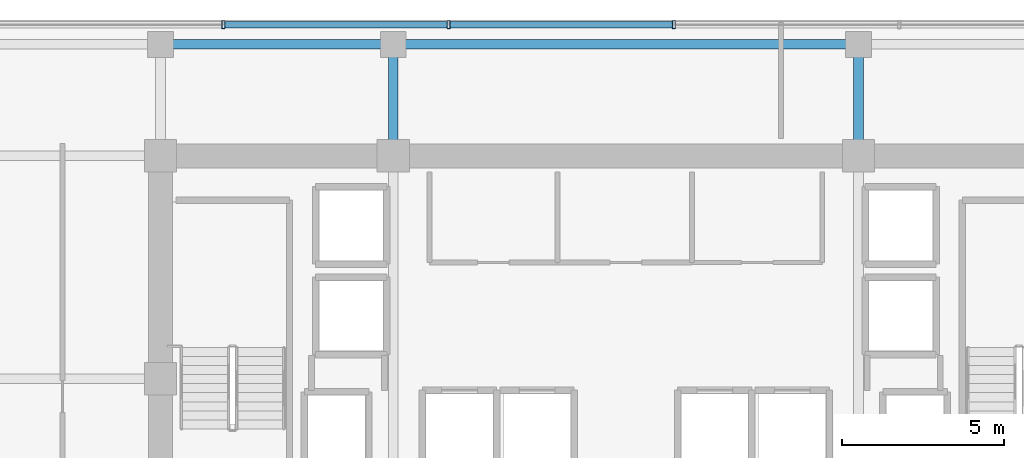
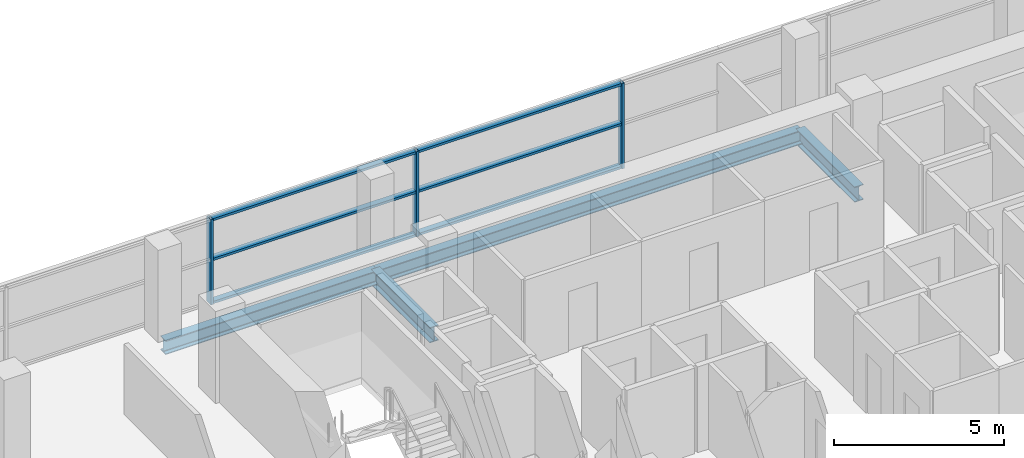
# One storey, part 15 of 25: 9 members, 4 beams, 1 element without a shape of its own.
"""IFC4 building model written with IfcOpenShell, lengths in metres."""

from ifc_helpers import new_model, si_unit, direction, frame, origin, origin_2d, place, context, subcontext, project, spatial, hollow_rectangle, i_section, extrude, source, transform, mapped, material, layer, layer_set, material_profile, profile_set, type_object, element, aggregate, save


model = new_model("IFC4")

# Units and contexts
model_context = context("Model", 3, precision=1e-05, world=origin(), true_north=direction((0.0, 1.0)))
body_context = subcontext(model_context, "Body", "Model", "MODEL_VIEW")
ifc_project = project(units=[si_unit("LENGTHUNIT", "METRE"), si_unit("AREAUNIT", "SQUARE_METRE"), si_unit("VOLUMEUNIT", "CUBIC_METRE"), si_unit("PLANEANGLEUNIT", "RADIAN"), si_unit("MASSUNIT", "GRAM", prefix="KILO")], contexts=[model_context])

# Site, building, storey
site_placement = place(None, origin())
site = spatial("IfcSite", under=ifc_project, at=site_placement, CompositionType="ELEMENT")
building_placement = place(site_placement, origin())
building = spatial("IfcBuilding", under=site, at=building_placement, Name="Zarnakvel Exchange Tower", CompositionType="ELEMENT")
storey_placement = place(building_placement, frame((0.0, 0.0, 100.0)))
storey = spatial("IfcBuildingStorey", under=building, at=storey_placement, Name="L27", CompositionType="ELEMENT", Elevation=100.0)

# Beams
ifc_material_1 = material(Name="Steel S355", Category="steel")
ifc_material_profile_1 = material_profile(ifc_material_1, i_section(OverallWidth=0.300048828125, OverallDepth=0.550048828125, WebThickness=0.014892578125, FlangeThickness=0.029052734375, FilletRadius=0.027099609375, at=origin_2d()))
ifc_profile_set_1 = profile_set([ifc_material_profile_1], Name="Steel S355")
beam_type_1 = type_object("IfcBeamType", Name="G-05", PredefinedType="BEAM", material=ifc_profile_set_1)
for number, where, z_axis, x_axis, name in (
    (1, (-7.199951171875, 13.5, -0.5), (0.0, 1.0, 0.0), (-1.0, 0.0, 0.0), "L27 Tower N-S Frame Beam"),
    (2, (7.199951171875, 13.5, -0.5), (0.0, 1.0, 0.0), (-1.0, 0.0, 0.0), "L27 Tower N-S Frame Beam"),
):
    element("IfcBeam", number, at=place(storey_placement, frame(where, z_axis=z_axis, x_axis=x_axis)), inside=storey, type_object=beam_type_1, Name=name, PredefinedType="BEAM", context=body_context, shape_type="SweptSolid", body=[
        extrude(i_section(OverallWidth=0.300048828125, OverallDepth=0.550048828125, WebThickness=0.014892578125, FlangeThickness=0.029052734375, FilletRadius=0.027099609375, at=origin_2d()), origin(), (0.0, 0.0, 1.0), 3.449951171875),
    ])
ifc_material_profile_2 = material_profile(ifc_material_1, i_section(OverallWidth=0.300048828125, OverallDepth=0.5, WebThickness=0.014404296875, FlangeThickness=0.028076171875, FilletRadius=0.027099609375, at=origin_2d()))
ifc_profile_set_2 = profile_set([ifc_material_profile_2], Name="Steel S355")
beam_type_2 = type_object("IfcBeamType", Name="SP-02", PredefinedType="SPANDREL", material=ifc_profile_set_2)
beam_1_placement = place(storey_placement, frame((-14.39990234375, 16.949951171875, -0.47509765625), z_axis=(1.0, 0.0, 0.0), x_axis=(0.0, 1.0, 0.0)))
element("IfcBeam", 3, at=beam_1_placement, inside=storey, type_object=beam_type_2, Name="L27 Tower E-W Frame Beam", PredefinedType="SPANDREL", context=body_context, shape_type="SweptSolid", body=[
    extrude(i_section(OverallWidth=0.300048828125, OverallDepth=0.5, WebThickness=0.014404296875, FlangeThickness=0.028076171875, FilletRadius=0.027099609375, at=origin_2d()), origin(), (0.0, 0.0, 1.0), 7.199951171875),
])
beam_2_placement = place(storey_placement, frame((-7.199951171875, 16.949951171875, -0.47509765625), z_axis=(1.0, 0.0, 0.0), x_axis=(0.0, 1.0, 0.0)))
element("IfcBeam", 4, at=beam_2_placement, inside=storey, type_object=beam_type_2, Name="L27 Tower E-W Frame Beam", PredefinedType="SPANDREL", context=body_context, shape_type="SweptSolid", body=[
    extrude(i_section(OverallWidth=0.300048828125, OverallDepth=0.5, WebThickness=0.014404296875, FlangeThickness=0.028076171875, FilletRadius=0.027099609375, at=origin_2d()), origin(), (0.0, 0.0, 1.0), 14.39990234375),
])

# Curtain wall, members
ifc_material_2 = material(Name="Architectural Bronze Anodised Aluminium", Category="aluminium")
ifc_layer = layer(ifc_material_2, 0.239990234375)
ifc_layer_set = layer_set([ifc_layer], Name="Architectural Bronze Anodised Aluminium")
curtain_wall_type = type_object("IfcCurtainWallType", Name="CW-02", PredefinedType="NOTDEFINED", material=ifc_layer_set)
curtain_wall_placement = place(storey_placement, origin())
curtain_wall = element("IfcCurtainWall", 5, at=curtain_wall_placement, inside=storey, type_object=curtain_wall_type, Name="L27 Curtain Wall CW-L27-N1 (CW-02)", PredefinedType="NOTDEFINED")
ifc_material_profile_3 = material_profile(ifc_material_2, hollow_rectangle(XDim=0.239990234375, YDim=0.090087890625, WallThickness=0.006103515625, at=origin_2d()))
ifc_profile_set_3 = profile_set([ifc_material_profile_3], Name="Architectural Bronze Anodised Aluminium")
member_type_1 = type_object("IfcMemberType", Name="CWM-02", PredefinedType="MULLION", material=ifc_profile_set_3)
shared_shape_1 = source(origin(), body_context, "Body", "SweptSolid", [
    extrude(hollow_rectangle(XDim=0.239990234375, YDim=0.090087890625, WallThickness=0.006103515625, at=origin_2d()), origin(), (0.0, 0.0, 1.0), 3.054931640625),
])
member_1_placement = place(storey_placement, frame((-12.45703125, 17.56005859375, 0.0), z_axis=(0.0, 0.0, 1.0), x_axis=(0.0, 1.0, 0.0)))
member_1 = element("IfcMember", 6, at=member_1_placement, type_object=member_type_1, Name="CW-02 mullion 3", PredefinedType="MULLION", context=body_context, shape_type="MappedRepresentation", body=[
    mapped(shared_shape_1, transform((0.0, 0.0, 0.0), x_axis=(1.0, 0.0, 0.0), y_axis=(0.0, 1.0, 0.0), z_axis=(0.0, 0.0, 1.0), scale=1.0)),
])
member_2_placement = place(storey_placement, frame((-5.485595703125, 17.56005859375, 0.0), z_axis=(0.0, 0.0, 1.0), x_axis=(0.0, 1.0, 0.0)))
member_2 = element("IfcMember", 7, at=member_2_placement, type_object=member_type_1, Name="CW-02 mullion 4", PredefinedType="MULLION", context=body_context, shape_type="MappedRepresentation", body=[
    mapped(shared_shape_1, transform((0.0, 0.0, 0.0), x_axis=(1.0, 0.0, 0.0), y_axis=(0.0, 1.0, 0.0), z_axis=(0.0, 0.0, 1.0), scale=1.0)),
])
member_3_placement = place(storey_placement, frame((1.485595703125, 17.56005859375, 0.0), z_axis=(0.0, 0.0, 1.0), x_axis=(0.0, 1.0, 0.0)))
member_3 = element("IfcMember", 8, at=member_3_placement, type_object=member_type_1, Name="CW-02 mullion 5", PredefinedType="MULLION", context=body_context, shape_type="MappedRepresentation", body=[
    mapped(shared_shape_1, transform((0.0, 0.0, 0.0), x_axis=(1.0, 0.0, 0.0), y_axis=(0.0, 1.0, 0.0), z_axis=(0.0, 0.0, 1.0), scale=1.0)),
])
ifc_material_profile_4 = material_profile(ifc_material_2, hollow_rectangle(XDim=0.199951171875, YDim=0.0849609375, WallThickness=0.0048828125, at=origin_2d()))
ifc_profile_set_4 = profile_set([ifc_material_profile_4], Name="Architectural Bronze Anodised Aluminium")
member_type_2 = type_object("IfcMemberType", Name="CWT-02", PredefinedType="USERDEFINED", material=ifc_profile_set_4)
shared_shape_2 = source(origin(), body_context, "Body", "SweptSolid", [
    extrude(hollow_rectangle(XDim=0.199951171875, YDim=0.0849609375, WallThickness=0.0048828125, at=origin_2d()), origin(), (0.0, 0.0, 1.0), 6.88134765625),
])
member_4_placement = place(storey_placement, frame((-12.412109375, 17.56005859375, 0.04248046875), z_axis=(1.0, 0.0, 0.0), x_axis=(0.0, 1.0, 0.0)))
member_4 = element("IfcMember", 9, at=member_4_placement, type_object=member_type_2, Name="CW-02 transom 3.1", ObjectType="TRANSOM", PredefinedType="USERDEFINED", context=body_context, shape_type="MappedRepresentation", body=[
    mapped(shared_shape_2, transform((0.0, 0.0, 0.0), x_axis=(1.0, 0.0, 0.0), y_axis=(0.0, 1.0, 0.0), z_axis=(0.0, 0.0, 1.0), scale=1.0)),
])
member_5_placement = place(storey_placement, frame((-12.412109375, 17.56005859375, 1.588623046875), z_axis=(1.0, 0.0, 0.0), x_axis=(0.0, 1.0, 0.0)))
member_5 = element("IfcMember", 10, at=member_5_placement, type_object=member_type_2, Name="CW-02 transom 3.2", ObjectType="TRANSOM", PredefinedType="USERDEFINED", context=body_context, shape_type="MappedRepresentation", body=[
    mapped(shared_shape_2, transform((0.0, 0.0, 0.0), x_axis=(1.0, 0.0, 0.0), y_axis=(0.0, 1.0, 0.0), z_axis=(0.0, 0.0, 1.0), scale=1.0)),
])
member_6_placement = place(storey_placement, frame((-12.412109375, 17.56005859375, 3.012451171875), z_axis=(1.0, 0.0, 0.0), x_axis=(0.0, 1.0, 0.0)))
member_6 = element("IfcMember", 11, at=member_6_placement, type_object=member_type_2, Name="CW-02 transom 3.3", ObjectType="TRANSOM", PredefinedType="USERDEFINED", context=body_context, shape_type="MappedRepresentation", body=[
    mapped(shared_shape_2, transform((0.0, 0.0, 0.0), x_axis=(1.0, 0.0, 0.0), y_axis=(0.0, 1.0, 0.0), z_axis=(0.0, 0.0, 1.0), scale=1.0)),
])
member_7_placement = place(storey_placement, frame((-5.440673828125, 17.56005859375, 0.04248046875), z_axis=(1.0, 0.0, 0.0), x_axis=(0.0, 1.0, 0.0)))
member_7 = element("IfcMember", 12, at=member_7_placement, type_object=member_type_2, Name="CW-02 transom 4.1", ObjectType="TRANSOM", PredefinedType="USERDEFINED", context=body_context, shape_type="MappedRepresentation", body=[
    mapped(shared_shape_2, transform((0.0, 0.0, 0.0), x_axis=(1.0, 0.0, 0.0), y_axis=(0.0, 1.0, 0.0), z_axis=(0.0, 0.0, 1.0), scale=1.0)),
])
member_8_placement = place(storey_placement, frame((-5.440673828125, 17.56005859375, 1.588623046875), z_axis=(1.0, 0.0, 0.0), x_axis=(0.0, 1.0, 0.0)))
member_8 = element("IfcMember", 13, at=member_8_placement, type_object=member_type_2, Name="CW-02 transom 4.2", ObjectType="TRANSOM", PredefinedType="USERDEFINED", context=body_context, shape_type="MappedRepresentation", body=[
    mapped(shared_shape_2, transform((0.0, 0.0, 0.0), x_axis=(1.0, 0.0, 0.0), y_axis=(0.0, 1.0, 0.0), z_axis=(0.0, 0.0, 1.0), scale=1.0)),
])
member_9_placement = place(storey_placement, frame((-5.440673828125, 17.56005859375, 3.012451171875), z_axis=(1.0, 0.0, 0.0), x_axis=(0.0, 1.0, 0.0)))
member_9 = element("IfcMember", 14, at=member_9_placement, type_object=member_type_2, Name="CW-02 transom 4.3", ObjectType="TRANSOM", PredefinedType="USERDEFINED", context=body_context, shape_type="MappedRepresentation", body=[
    mapped(shared_shape_2, transform((0.0, 0.0, 0.0), x_axis=(1.0, 0.0, 0.0), y_axis=(0.0, 1.0, 0.0), z_axis=(0.0, 0.0, 1.0), scale=1.0)),
])
aggregate(curtain_wall, [member_1, member_2, member_3, member_4, member_5, member_6, member_7, member_8, member_9])

save(model, "model.ifc")
